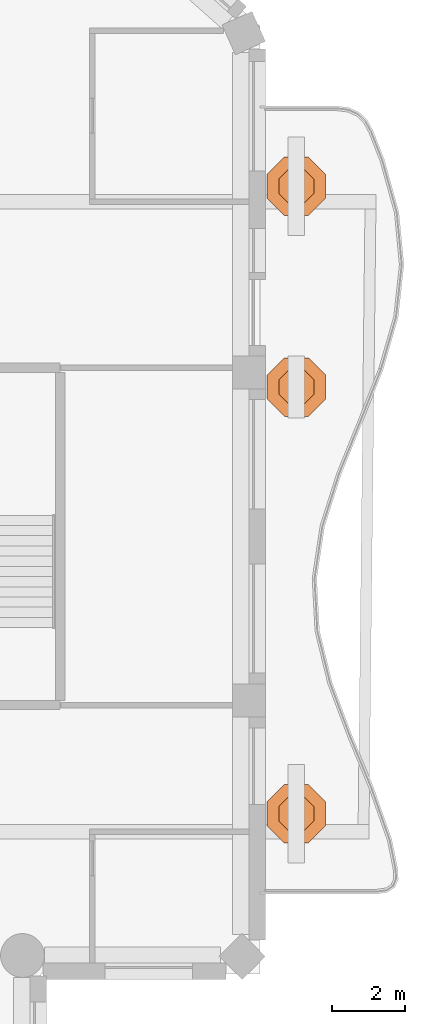
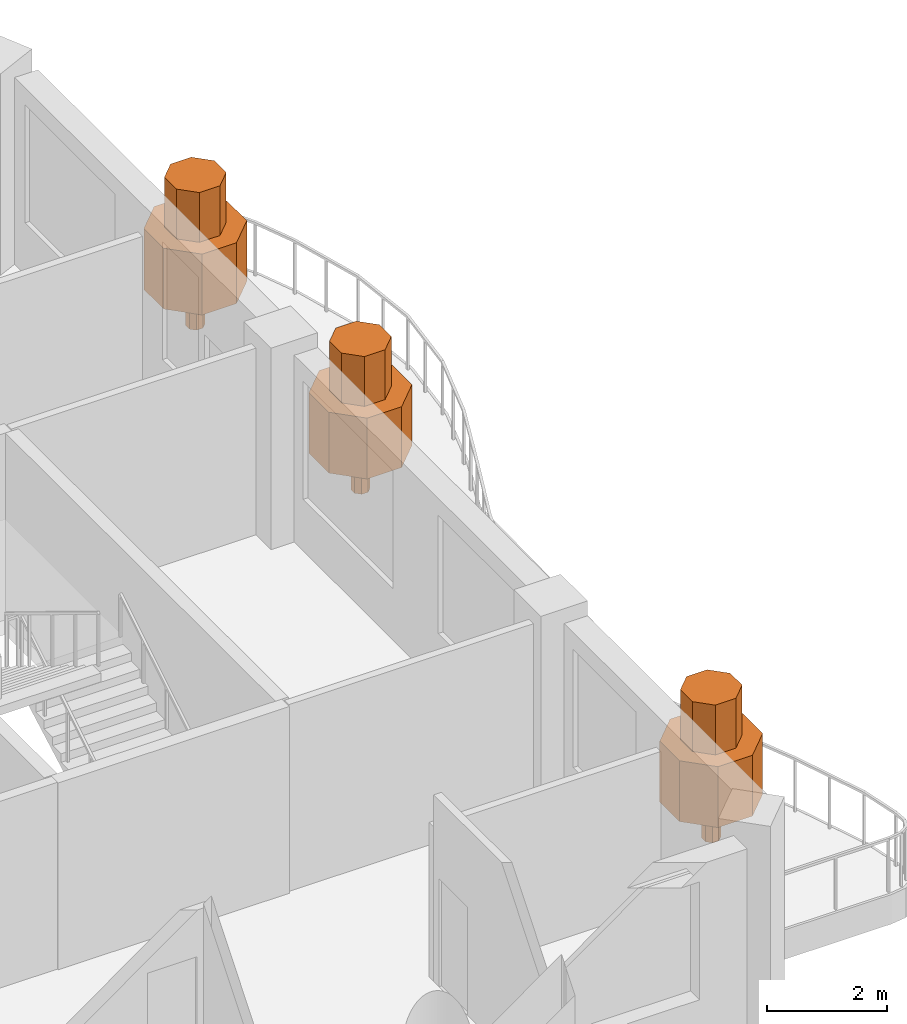
# One storey, part 15 of 15: 3 geographic elements.
"""IFC4 building model written with IfcOpenShell, lengths in metres."""

from ifc_helpers import new_model, si_unit, direction, frame, origin, place, context, subcontext, project, spatial, polyline, outline, extrude, material, type_object, element, save


model = new_model("IFC4")

# Units and contexts
model_context = context("Model", 3, precision=1e-05, world=origin(), true_north=direction((0.0, 1.0)))
body_context = subcontext(model_context, "Body", "Model", "MODEL_VIEW")
ifc_project = project(units=[si_unit("LENGTHUNIT", "METRE"), si_unit("AREAUNIT", "SQUARE_METRE"), si_unit("VOLUMEUNIT", "CUBIC_METRE"), si_unit("PLANEANGLEUNIT", "RADIAN"), si_unit("MASSUNIT", "GRAM", prefix="KILO")], contexts=[model_context])

# Site, building, storey
site_placement = place(None, origin())
site = spatial("IfcSite", under=ifc_project, at=site_placement, CompositionType="ELEMENT")
building_placement = place(site_placement, origin())
building = spatial("IfcBuilding", under=site, at=building_placement, Name="Cypress Arch Tower", CompositionType="ELEMENT")
storey_placement = place(building_placement, frame((0.0, 0.0, 321.300048828125)))
storey = spatial("IfcBuildingStorey", under=building, at=storey_placement, Name="L73", CompositionType="ELEMENT", Elevation=321.300048828125)

# Geographic elements
ifc_material = material(Name="Foliage and planting")
geographic_element_type = type_object("IfcGeographicElementType", Name="Balcony tree TR", PredefinedType="USERDEFINED", material=ifc_material)
for number, where, z_axis, x_axis, name in (
    (1, (25.60009765625, -7.60009765625, 0.599853515625), (0.0, 0.0, 1.0), (1.0, 0.0, 0.0), "Balcony tree L73-C17.1"),
    (2, (25.60009765625, 4.095703125, 0.599853515625), (0.0, 0.0, 1.0), (1.0, 0.0, 0.0), "Balcony tree L73-C17.2"),
    (3, (25.60009765625, 9.60009765625, 0.599853515625), (0.0, 0.0, 1.0), (1.0, 0.0, 0.0), "Balcony tree L73-C17.3"),
):
    element("IfcGeographicElement", number, at=place(storey_placement, frame(where, z_axis=z_axis, x_axis=x_axis)), inside=storey, type_object=geographic_element_type, Name=name, ObjectType="TREE", PredefinedType="USERDEFINED", context=body_context, shape_type="SweptSolid", body=[
        extrude(outline(polyline([(0.14990234375, 0.06201171875), (0.06201171875, 0.14990234375), (-0.06201171875, 0.14990234375), (-0.14990234375, 0.06201171875), (-0.14990234375, -0.06201171875), (-0.06201171875, -0.14990234375), (0.06201171875, -0.14990234375), (0.14990234375, -0.06201171875), (0.14990234375, 0.06201171875)])), origin(), (0.0, 0.0, 1.0), 0.89990234375),
        extrude(outline(polyline([(0.800048828125, 0.331298828125), (0.331298828125, 0.800048828125), (-0.331298828125, 0.800048828125), (-0.800048828125, 0.331298828125), (-0.800048828125, -0.331298828125), (-0.331298828125, -0.800048828125), (0.331298828125, -0.800048828125), (0.800048828125, -0.331298828125), (0.800048828125, 0.331298828125)])), frame((0.0, 0.0, 0.800048828125)), (0.0, 0.0, 1.0), 1.237548828125),
        extrude(outline(polyline([(0.47998046875, 0.19873046875), (0.19873046875, 0.47998046875), (-0.19873046875, 0.47998046875), (-0.47998046875, 0.19873046875), (-0.47998046875, -0.19873046875), (-0.19873046875, -0.47998046875), (0.19873046875, -0.47998046875), (0.47998046875, -0.19873046875), (0.47998046875, 0.19873046875)])), frame((0.0, 0.0, 2.03759765625)), (0.0, 0.0, 1.0), 1.012451171875),
    ])

save(model, "model.ifc")
